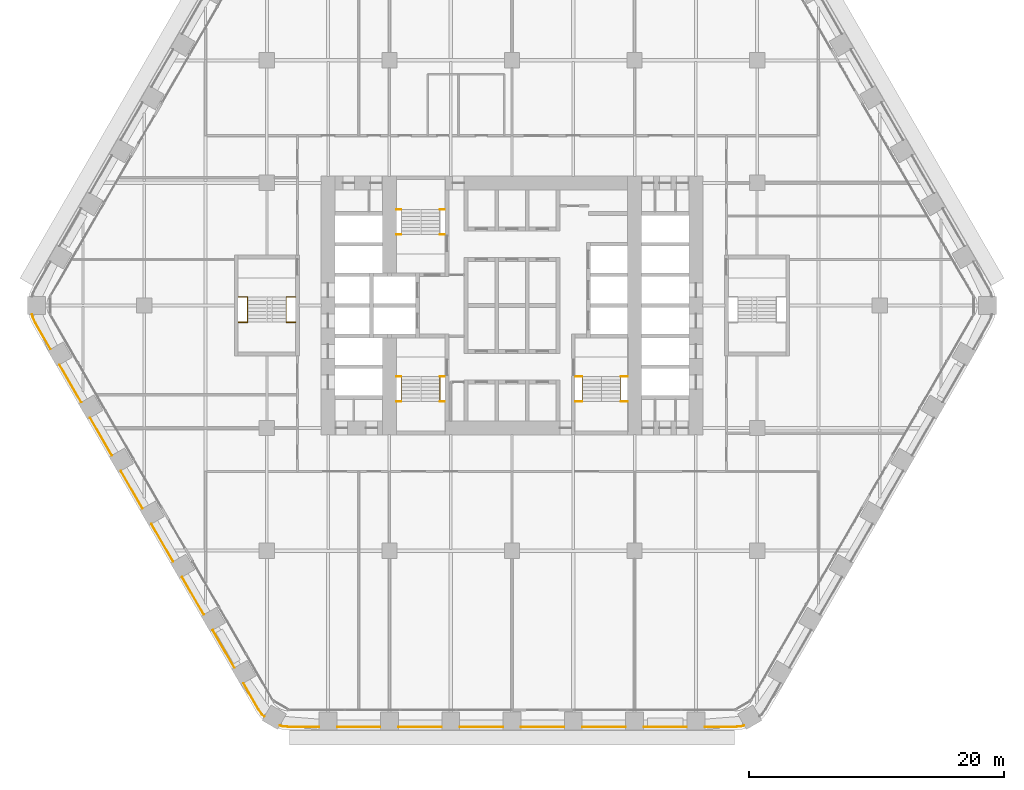
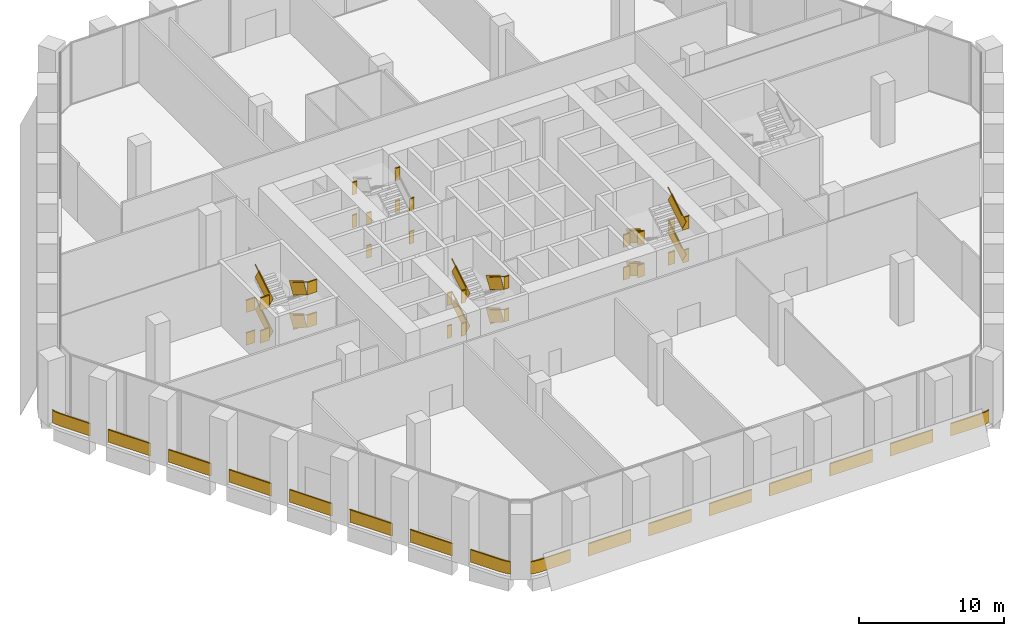
# One storey, part 26 of 27: 9 railings.
"""IFC4 building model written with IfcOpenShell, lengths in metres."""

from ifc_helpers import new_model, si_unit, direction, frame, frame_2d, origin, origin_2d, place, context, subcontext, project, spatial, rectangle, extrude, material, type_object, element, save


model = new_model("IFC4")

# Units and contexts
model_context = context("Model", 3, precision=1e-05, world=origin(), true_north=direction((0.0, 1.0)))
body_context = subcontext(model_context, "Body", "Model", "MODEL_VIEW")
ifc_project = project(units=[si_unit("LENGTHUNIT", "METRE"), si_unit("AREAUNIT", "SQUARE_METRE"), si_unit("VOLUMEUNIT", "CUBIC_METRE"), si_unit("PLANEANGLEUNIT", "RADIAN"), si_unit("MASSUNIT", "GRAM", prefix="KILO")], contexts=[model_context])

# Site, building, storey
site_placement = place(None, origin())
site = spatial("IfcSite", under=ifc_project, at=site_placement, CompositionType="ELEMENT")
building_placement = place(site_placement, origin())
building = spatial("IfcBuilding", under=site, at=building_placement, Name="Kolab Exchange Tower", CompositionType="ELEMENT")
storey_placement = place(building_placement, frame((0.0, 0.0, 49.89990234375)))
storey = spatial("IfcBuildingStorey", under=building, at=storey_placement, Name="L09", CompositionType="ELEMENT", Elevation=49.89990234375)

# Railings
ifc_material_1 = material(Name="Stainless steel 316", Category="steel")
railing_type_1 = type_object("IfcRailingType", Name="GUARD 1100", PredefinedType="GUARDRAIL", material=ifc_material_1)
railing_1_placement = place(storey_placement, frame((-9.050048828125, 5.550048828125, 0.0)))
element("IfcRailing", 1, at=railing_1_placement, inside=storey, type_object=railing_type_1, Name="Guard ST1", PredefinedType="GUARDRAIL", context=body_context, shape_type="SweptSolid", body=[
    extrude(rectangle(XDim=0.05, YDim=0.05, at=origin_2d()), frame((0.0, 0.0, 1.0751953125), z_axis=(1.0, 0.0, 0.0), x_axis=(0.0, 1.0, 0.0)), (0.0, 0.0, 1.0), 0.39013671875),
    extrude(rectangle(XDim=0.012, YDim=1.05009765625, at=frame_2d((0.0, 0.525146484375))), frame((0.0, 0.0, 0.0), z_axis=(1.0, 0.0, 0.0), x_axis=(0.0, 1.0, 0.0)), (0.0, 0.0, 1.0), 0.39013671875),
    extrude(rectangle(XDim=0.05, YDim=0.05, at=origin_2d()), frame((3.41015625, 0.0, 1.0751953125), z_axis=(1.0, 0.0, 0.0), x_axis=(0.0, 1.0, 0.0)), (0.0, 0.0, 1.0), 0.389892578125),
    extrude(rectangle(XDim=0.012, YDim=1.05009765625, at=frame_2d((0.0, 0.525146484375))), frame((3.41015625, 0.0, 0.0), z_axis=(1.0, 0.0, 0.0), x_axis=(0.0, 1.0, 0.0)), (0.0, 0.0, 1.0), 0.389892578125),
    extrude(rectangle(XDim=0.05, YDim=0.05, at=origin_2d()), frame((0.0, 1.9599609375, 2.4501953125), z_axis=(1.0, 0.0, 0.0), x_axis=(0.0, 1.0, 0.0)), (0.0, 0.0, 1.0), 0.39013671875),
    extrude(rectangle(XDim=0.012, YDim=1.05009765625, at=frame_2d((0.0, 0.525146484375))), frame((0.0, 1.9599609375, 1.375), z_axis=(1.0, 0.0, 0.0), x_axis=(0.0, 1.0, 0.0)), (0.0, 0.0, 1.0), 0.39013671875),
    extrude(rectangle(XDim=0.05, YDim=0.05, at=origin_2d()), frame((3.41015625, 1.9599609375, 2.4501953125), z_axis=(1.0, 0.0, 0.0), x_axis=(0.0, 1.0, 0.0)), (0.0, 0.0, 1.0), 0.389892578125),
    extrude(rectangle(XDim=0.012, YDim=1.05009765625, at=frame_2d((0.0, 0.525146484375))), frame((3.41015625, 1.9599609375, 1.375), z_axis=(1.0, 0.0, 0.0), x_axis=(0.0, 1.0, 0.0)), (0.0, 0.0, 1.0), 0.389892578125),
    extrude(rectangle(XDim=0.05, YDim=0.05, at=origin_2d()), frame((0.0, 0.0, 3.8251953125), z_axis=(1.0, 0.0, 0.0), x_axis=(0.0, 1.0, 0.0)), (0.0, 0.0, 1.0), 0.39013671875),
    extrude(rectangle(XDim=0.012, YDim=1.05009765625, at=frame_2d((0.0, 0.525146484375))), frame((0.0, 0.0, 2.75), z_axis=(1.0, 0.0, 0.0), x_axis=(0.0, 1.0, 0.0)), (0.0, 0.0, 1.0), 0.39013671875),
    extrude(rectangle(XDim=0.05, YDim=0.05, at=origin_2d()), frame((3.41015625, 0.0, 3.8251953125), z_axis=(1.0, 0.0, 0.0), x_axis=(0.0, 1.0, 0.0)), (0.0, 0.0, 1.0), 0.389892578125),
    extrude(rectangle(XDim=0.012, YDim=1.05009765625, at=frame_2d((0.0, 0.525146484375))), frame((3.41015625, 0.0, 2.75), z_axis=(1.0, 0.0, 0.0), x_axis=(0.0, 1.0, 0.0)), (0.0, 0.0, 1.0), 0.389892578125),
    extrude(rectangle(XDim=0.05, YDim=0.05, at=origin_2d()), frame((0.0, 1.9599609375, 5.2001953125), z_axis=(1.0, 0.0, 0.0), x_axis=(0.0, 1.0, 0.0)), (0.0, 0.0, 1.0), 0.39013671875),
    extrude(rectangle(XDim=0.012, YDim=1.05009765625, at=frame_2d((0.0, 0.525146484375))), frame((0.0, 1.9599609375, 4.125), z_axis=(1.0, 0.0, 0.0), x_axis=(0.0, 1.0, 0.0)), (0.0, 0.0, 1.0), 0.39013671875),
    extrude(rectangle(XDim=0.05, YDim=0.05, at=origin_2d()), frame((3.41015625, 1.9599609375, 5.2001953125), z_axis=(1.0, 0.0, 0.0), x_axis=(0.0, 1.0, 0.0)), (0.0, 0.0, 1.0), 0.389892578125),
    extrude(rectangle(XDim=0.012, YDim=1.05009765625, at=frame_2d((0.0, 0.525146484375))), frame((3.41015625, 1.9599609375, 4.125), z_axis=(1.0, 0.0, 0.0), x_axis=(0.0, 1.0, 0.0)), (0.0, 0.0, 1.0), 0.389892578125),
])
railing_2_placement = place(storey_placement, frame((-9.050048828125, -5.550048828125, 0.0)))
element("IfcRailing", 2, at=railing_2_placement, inside=storey, type_object=railing_type_1, Name="Guard ST3", PredefinedType="GUARDRAIL", context=body_context, shape_type="SweptSolid", body=[
    extrude(rectangle(XDim=0.05, YDim=0.05, at=origin_2d()), frame((0.0, 0.0, 1.0751953125), z_axis=(1.0, 0.0, 0.0), x_axis=(0.0, 1.0, 0.0)), (0.0, 0.0, 1.0), 0.39013671875),
    extrude(rectangle(XDim=0.012, YDim=1.05009765625, at=frame_2d((0.0, 0.525146484375))), frame((0.0, 0.0, 0.0), z_axis=(1.0, 0.0, 0.0), x_axis=(0.0, 1.0, 0.0)), (0.0, 0.0, 1.0), 0.39013671875),
    extrude(rectangle(XDim=0.05, YDim=0.05, at=origin_2d()), frame((3.41015625, 0.0, 1.0751953125), z_axis=(1.0, 0.0, 0.0), x_axis=(0.0, 1.0, 0.0)), (0.0, 0.0, 1.0), 0.389892578125),
    extrude(rectangle(XDim=0.012, YDim=1.05009765625, at=frame_2d((0.0, 0.525146484375))), frame((3.41015625, 0.0, 0.0), z_axis=(1.0, 0.0, 0.0), x_axis=(0.0, 1.0, 0.0)), (0.0, 0.0, 1.0), 0.389892578125),
    extrude(rectangle(XDim=0.05, YDim=0.05, at=origin_2d()), frame((0.0, -1.9599609375, 2.4501953125), z_axis=(1.0, 0.0, 0.0), x_axis=(0.0, 1.0, 0.0)), (0.0, 0.0, 1.0), 0.39013671875),
    extrude(rectangle(XDim=0.012, YDim=1.05009765625, at=frame_2d((0.0, 0.525146484375))), frame((0.0, -1.9599609375, 1.375), z_axis=(1.0, 0.0, 0.0), x_axis=(0.0, 1.0, 0.0)), (0.0, 0.0, 1.0), 0.39013671875),
    extrude(rectangle(XDim=0.05, YDim=0.05, at=origin_2d()), frame((3.41015625, -1.9599609375, 2.4501953125), z_axis=(1.0, 0.0, 0.0), x_axis=(0.0, 1.0, 0.0)), (0.0, 0.0, 1.0), 0.389892578125),
    extrude(rectangle(XDim=0.012, YDim=1.05009765625, at=frame_2d((0.0, 0.525146484375))), frame((3.41015625, -1.9599609375, 1.375), z_axis=(1.0, 0.0, 0.0), x_axis=(0.0, 1.0, 0.0)), (0.0, 0.0, 1.0), 0.389892578125),
    extrude(rectangle(XDim=0.05, YDim=0.05, at=origin_2d()), frame((0.0, 0.0, 3.8251953125), z_axis=(1.0, 0.0, 0.0), x_axis=(0.0, 1.0, 0.0)), (0.0, 0.0, 1.0), 0.39013671875),
    extrude(rectangle(XDim=0.012, YDim=1.05009765625, at=frame_2d((0.0, 0.525146484375))), frame((0.0, 0.0, 2.75), z_axis=(1.0, 0.0, 0.0), x_axis=(0.0, 1.0, 0.0)), (0.0, 0.0, 1.0), 0.39013671875),
    extrude(rectangle(XDim=0.05, YDim=0.05, at=origin_2d()), frame((3.41015625, 0.0, 3.8251953125), z_axis=(1.0, 0.0, 0.0), x_axis=(0.0, 1.0, 0.0)), (0.0, 0.0, 1.0), 0.389892578125),
    extrude(rectangle(XDim=0.012, YDim=1.05009765625, at=frame_2d((0.0, 0.525146484375))), frame((3.41015625, 0.0, 2.75), z_axis=(1.0, 0.0, 0.0), x_axis=(0.0, 1.0, 0.0)), (0.0, 0.0, 1.0), 0.389892578125),
    extrude(rectangle(XDim=0.05, YDim=0.05, at=origin_2d()), frame((0.0, -1.9599609375, 5.2001953125), z_axis=(1.0, 0.0, 0.0), x_axis=(0.0, 1.0, 0.0)), (0.0, 0.0, 1.0), 0.39013671875),
    extrude(rectangle(XDim=0.012, YDim=1.05009765625, at=frame_2d((0.0, 0.525146484375))), frame((0.0, -1.9599609375, 4.125), z_axis=(1.0, 0.0, 0.0), x_axis=(0.0, 1.0, 0.0)), (0.0, 0.0, 1.0), 0.39013671875),
    extrude(rectangle(XDim=0.05, YDim=0.05, at=origin_2d()), frame((3.41015625, -1.9599609375, 5.2001953125), z_axis=(1.0, 0.0, 0.0), x_axis=(0.0, 1.0, 0.0)), (0.0, 0.0, 1.0), 0.389892578125),
    extrude(rectangle(XDim=0.012, YDim=1.05009765625, at=frame_2d((0.0, 0.525146484375))), frame((3.41015625, -1.9599609375, 4.125), z_axis=(1.0, 0.0, 0.0), x_axis=(0.0, 1.0, 0.0)), (0.0, 0.0, 1.0), 0.389892578125),
])
railing_3_placement = place(storey_placement, frame((-5.639892578125, -5.550048828125, 0.172119140625)))
element("IfcRailing", 3, at=railing_3_placement, inside=storey, type_object=railing_type_1, Name="Handrail guard ST3", PredefinedType="GUARDRAIL", context=body_context, shape_type="SweptSolid", body=[
    extrude(rectangle(XDim=0.05, YDim=0.05, at=origin_2d()), frame((0.0, 0.0, 1.0751953125), z_axis=(0.0, -0.852288308005, 0.523072308613), x_axis=(1.0, 0.0, 0.0)), (0.0, 0.0, 1.0), 2.299560546875),
    extrude(rectangle(XDim=0.012, YDim=1.05009765625, at=frame_2d((0.0, 0.525146484375))), frame((0.0, 0.0, 0.0), z_axis=(0.0, -0.852288308005, 0.523072308613), x_axis=(1.0, 0.0, 0.0)), (0.0, 0.0, 1.0), 2.299560546875),
    extrude(rectangle(XDim=0.05, YDim=0.05, at=origin_2d()), frame((-3.02001953125, -1.9599609375, 2.4501953125), z_axis=(0.0, 0.852288308005, 0.523072308613), x_axis=(-1.0, 0.0, 0.0)), (0.0, 0.0, 1.0), 2.299560546875),
    extrude(rectangle(XDim=0.012, YDim=1.05009765625, at=frame_2d((0.0, 0.525146484375))), frame((-3.02001953125, -1.9599609375, 1.375), z_axis=(0.0, 0.852288308005, 0.523072308613), x_axis=(-1.0, 0.0, 0.0)), (0.0, 0.0, 1.0), 2.299560546875),
    extrude(rectangle(XDim=0.05, YDim=0.05, at=origin_2d()), frame((0.0, 0.0, 3.8251953125), z_axis=(0.0, -0.852288308005, 0.523072308613), x_axis=(1.0, 0.0, 0.0)), (0.0, 0.0, 1.0), 2.299560546875),
    extrude(rectangle(XDim=0.012, YDim=1.05009765625, at=frame_2d((0.0, 0.525146484375))), frame((0.0, 0.0, 2.75), z_axis=(0.0, -0.852288308005, 0.523072308613), x_axis=(1.0, 0.0, 0.0)), (0.0, 0.0, 1.0), 2.299560546875),
    extrude(rectangle(XDim=0.05, YDim=0.05, at=origin_2d()), frame((-3.02001953125, -1.9599609375, 5.2001953125), z_axis=(0.0, 0.852288308005, 0.523072308613), x_axis=(-1.0, 0.0, 0.0)), (0.0, 0.0, 1.0), 2.299560546875),
    extrude(rectangle(XDim=0.012, YDim=1.05009765625, at=frame_2d((0.0, 0.525146484375))), frame((-3.02001953125, -1.9599609375, 4.125), z_axis=(0.0, 0.852288308005, 0.523072308613), x_axis=(-1.0, 0.0, 0.0)), (0.0, 0.0, 1.0), 2.299560546875),
])
railing_4_placement = place(storey_placement, frame((4.949951171875, -5.550048828125, 0.0)))
element("IfcRailing", 4, at=railing_4_placement, inside=storey, type_object=railing_type_1, Name="Guard ST2", PredefinedType="GUARDRAIL", context=body_context, shape_type="SweptSolid", body=[
    extrude(rectangle(XDim=0.05, YDim=0.05, at=origin_2d()), frame((0.0, 0.0, 1.0751953125), z_axis=(1.0, 0.0, 0.0), x_axis=(0.0, 1.0, 0.0)), (0.0, 0.0, 1.0), 0.5400390625),
    extrude(rectangle(XDim=0.012, YDim=1.05009765625, at=frame_2d((0.0, 0.525146484375))), frame((0.0, 0.0, 0.0), z_axis=(1.0, 0.0, 0.0), x_axis=(0.0, 1.0, 0.0)), (0.0, 0.0, 1.0), 0.5400390625),
    extrude(rectangle(XDim=0.05, YDim=0.05, at=origin_2d()), frame((3.56005859375, 0.0, 1.0751953125), z_axis=(1.0, 0.0, 0.0), x_axis=(0.0, 1.0, 0.0)), (0.0, 0.0, 1.0), 0.5400390625),
    extrude(rectangle(XDim=0.012, YDim=1.05009765625, at=frame_2d((0.0, 0.525146484375))), frame((3.56005859375, 0.0, 0.0), z_axis=(1.0, 0.0, 0.0), x_axis=(0.0, 1.0, 0.0)), (0.0, 0.0, 1.0), 0.5400390625),
    extrude(rectangle(XDim=0.05, YDim=0.05, at=origin_2d()), frame((0.0, -1.9599609375, 2.4501953125), z_axis=(1.0, 0.0, 0.0), x_axis=(0.0, 1.0, 0.0)), (0.0, 0.0, 1.0), 0.5400390625),
    extrude(rectangle(XDim=0.012, YDim=1.05009765625, at=frame_2d((0.0, 0.525146484375))), frame((0.0, -1.9599609375, 1.375), z_axis=(1.0, 0.0, 0.0), x_axis=(0.0, 1.0, 0.0)), (0.0, 0.0, 1.0), 0.5400390625),
    extrude(rectangle(XDim=0.05, YDim=0.05, at=origin_2d()), frame((3.56005859375, -1.9599609375, 2.4501953125), z_axis=(1.0, 0.0, 0.0), x_axis=(0.0, 1.0, 0.0)), (0.0, 0.0, 1.0), 0.5400390625),
    extrude(rectangle(XDim=0.012, YDim=1.05009765625, at=frame_2d((0.0, 0.525146484375))), frame((3.56005859375, -1.9599609375, 1.375), z_axis=(1.0, 0.0, 0.0), x_axis=(0.0, 1.0, 0.0)), (0.0, 0.0, 1.0), 0.5400390625),
    extrude(rectangle(XDim=0.05, YDim=0.05, at=origin_2d()), frame((0.0, 0.0, 3.8251953125), z_axis=(1.0, 0.0, 0.0), x_axis=(0.0, 1.0, 0.0)), (0.0, 0.0, 1.0), 0.5400390625),
    extrude(rectangle(XDim=0.012, YDim=1.05009765625, at=frame_2d((0.0, 0.525146484375))), frame((0.0, 0.0, 2.75), z_axis=(1.0, 0.0, 0.0), x_axis=(0.0, 1.0, 0.0)), (0.0, 0.0, 1.0), 0.5400390625),
    extrude(rectangle(XDim=0.05, YDim=0.05, at=origin_2d()), frame((3.56005859375, 0.0, 3.8251953125), z_axis=(1.0, 0.0, 0.0), x_axis=(0.0, 1.0, 0.0)), (0.0, 0.0, 1.0), 0.5400390625),
    extrude(rectangle(XDim=0.012, YDim=1.05009765625, at=frame_2d((0.0, 0.525146484375))), frame((3.56005859375, 0.0, 2.75), z_axis=(1.0, 0.0, 0.0), x_axis=(0.0, 1.0, 0.0)), (0.0, 0.0, 1.0), 0.5400390625),
    extrude(rectangle(XDim=0.05, YDim=0.05, at=origin_2d()), frame((0.0, -1.9599609375, 5.2001953125), z_axis=(1.0, 0.0, 0.0), x_axis=(0.0, 1.0, 0.0)), (0.0, 0.0, 1.0), 0.5400390625),
    extrude(rectangle(XDim=0.012, YDim=1.05009765625, at=frame_2d((0.0, 0.525146484375))), frame((0.0, -1.9599609375, 4.125), z_axis=(1.0, 0.0, 0.0), x_axis=(0.0, 1.0, 0.0)), (0.0, 0.0, 1.0), 0.5400390625),
    extrude(rectangle(XDim=0.05, YDim=0.05, at=origin_2d()), frame((3.56005859375, -1.9599609375, 5.2001953125), z_axis=(1.0, 0.0, 0.0), x_axis=(0.0, 1.0, 0.0)), (0.0, 0.0, 1.0), 0.5400390625),
    extrude(rectangle(XDim=0.012, YDim=1.05009765625, at=frame_2d((0.0, 0.525146484375))), frame((3.56005859375, -1.9599609375, 4.125), z_axis=(1.0, 0.0, 0.0), x_axis=(0.0, 1.0, 0.0)), (0.0, 0.0, 1.0), 0.5400390625),
])
railing_5_placement = place(storey_placement, frame((5.489990234375, -5.550048828125, 0.172119140625)))
element("IfcRailing", 5, at=railing_5_placement, inside=storey, type_object=railing_type_1, Name="Handrail guard ST2", PredefinedType="GUARDRAIL", context=body_context, shape_type="SweptSolid", body=[
    extrude(rectangle(XDim=0.05, YDim=0.05, at=origin_2d()), frame((0.0, 0.0, 1.0751953125), z_axis=(0.0, -0.852288308005, 0.523072308613), x_axis=(1.0, 0.0, 0.0)), (0.0, 0.0, 1.0), 2.299560546875),
    extrude(rectangle(XDim=0.012, YDim=1.05009765625, at=frame_2d((0.0, 0.525146484375))), frame((0.0, 0.0, 0.0), z_axis=(0.0, -0.852288308005, 0.523072308613), x_axis=(1.0, 0.0, 0.0)), (0.0, 0.0, 1.0), 2.299560546875),
    extrude(rectangle(XDim=0.05, YDim=0.05, at=origin_2d()), frame((3.02001953125, -1.9599609375, 2.4501953125), z_axis=(0.0, 0.852288308005, 0.523072308613), x_axis=(-1.0, 0.0, 0.0)), (0.0, 0.0, 1.0), 2.299560546875),
    extrude(rectangle(XDim=0.012, YDim=1.05009765625, at=frame_2d((0.0, 0.525146484375))), frame((3.02001953125, -1.9599609375, 1.375), z_axis=(0.0, 0.852288308005, 0.523072308613), x_axis=(-1.0, 0.0, 0.0)), (0.0, 0.0, 1.0), 2.299560546875),
    extrude(rectangle(XDim=0.05, YDim=0.05, at=origin_2d()), frame((0.0, 0.0, 3.8251953125), z_axis=(0.0, -0.852288308005, 0.523072308613), x_axis=(1.0, 0.0, 0.0)), (0.0, 0.0, 1.0), 2.299560546875),
    extrude(rectangle(XDim=0.012, YDim=1.05009765625, at=frame_2d((0.0, 0.525146484375))), frame((0.0, 0.0, 2.75), z_axis=(0.0, -0.852288308005, 0.523072308613), x_axis=(1.0, 0.0, 0.0)), (0.0, 0.0, 1.0), 2.299560546875),
    extrude(rectangle(XDim=0.05, YDim=0.05, at=origin_2d()), frame((3.02001953125, -1.9599609375, 5.2001953125), z_axis=(0.0, 0.852288308005, 0.523072308613), x_axis=(-1.0, 0.0, 0.0)), (0.0, 0.0, 1.0), 2.299560546875),
    extrude(rectangle(XDim=0.012, YDim=1.05009765625, at=frame_2d((0.0, 0.525146484375))), frame((3.02001953125, -1.9599609375, 4.125), z_axis=(0.0, 0.852288308005, 0.523072308613), x_axis=(-1.0, 0.0, 0.0)), (0.0, 0.0, 1.0), 2.299560546875),
])
railing_6_placement = place(storey_placement, frame((-21.449951171875, 0.64990234375, 0.0)))
element("IfcRailing", 6, at=railing_6_placement, inside=storey, type_object=railing_type_1, Name="Guard ST5", PredefinedType="GUARDRAIL", context=body_context, shape_type="SweptSolid", body=[
    extrude(rectangle(XDim=0.05, YDim=0.05, at=origin_2d()), frame((0.0, 0.0, 1.0751953125), z_axis=(1.0, 0.0, 0.0), x_axis=(0.0, 1.0, 0.0)), (0.0, 0.0, 1.0), 0.739990234375),
    extrude(rectangle(XDim=0.012, YDim=1.05009765625, at=frame_2d((0.0, 0.525146484375))), frame((0.0, 0.0, 0.0), z_axis=(1.0, 0.0, 0.0), x_axis=(0.0, 1.0, 0.0)), (0.0, 0.0, 1.0), 0.739990234375),
    extrude(rectangle(XDim=0.05, YDim=0.05, at=origin_2d()), frame((3.760009765625, 0.0, 1.0751953125), z_axis=(1.0, 0.0, 0.0), x_axis=(0.0, 1.0, 0.0)), (0.0, 0.0, 1.0), 0.739990234375),
    extrude(rectangle(XDim=0.012, YDim=1.05009765625, at=frame_2d((0.0, 0.525146484375))), frame((3.760009765625, 0.0, 0.0), z_axis=(1.0, 0.0, 0.0), x_axis=(0.0, 1.0, 0.0)), (0.0, 0.0, 1.0), 0.739990234375),
    extrude(rectangle(XDim=0.05, YDim=0.05, at=origin_2d()), frame((0.0, -1.9599609375, 2.4501953125), z_axis=(1.0, 0.0, 0.0), x_axis=(0.0, 1.0, 0.0)), (0.0, 0.0, 1.0), 0.739990234375),
    extrude(rectangle(XDim=0.012, YDim=1.05009765625, at=frame_2d((0.0, 0.525146484375))), frame((0.0, -1.9599609375, 1.375), z_axis=(1.0, 0.0, 0.0), x_axis=(0.0, 1.0, 0.0)), (0.0, 0.0, 1.0), 0.739990234375),
    extrude(rectangle(XDim=0.05, YDim=0.05, at=origin_2d()), frame((3.760009765625, -1.9599609375, 2.4501953125), z_axis=(1.0, 0.0, 0.0), x_axis=(0.0, 1.0, 0.0)), (0.0, 0.0, 1.0), 0.739990234375),
    extrude(rectangle(XDim=0.012, YDim=1.05009765625, at=frame_2d((0.0, 0.525146484375))), frame((3.760009765625, -1.9599609375, 1.375), z_axis=(1.0, 0.0, 0.0), x_axis=(0.0, 1.0, 0.0)), (0.0, 0.0, 1.0), 0.739990234375),
    extrude(rectangle(XDim=0.05, YDim=0.05, at=origin_2d()), frame((0.0, 0.0, 3.8251953125), z_axis=(1.0, 0.0, 0.0), x_axis=(0.0, 1.0, 0.0)), (0.0, 0.0, 1.0), 0.739990234375),
    extrude(rectangle(XDim=0.012, YDim=1.05009765625, at=frame_2d((0.0, 0.525146484375))), frame((0.0, 0.0, 2.75), z_axis=(1.0, 0.0, 0.0), x_axis=(0.0, 1.0, 0.0)), (0.0, 0.0, 1.0), 0.739990234375),
    extrude(rectangle(XDim=0.05, YDim=0.05, at=origin_2d()), frame((3.760009765625, 0.0, 3.8251953125), z_axis=(1.0, 0.0, 0.0), x_axis=(0.0, 1.0, 0.0)), (0.0, 0.0, 1.0), 0.739990234375),
    extrude(rectangle(XDim=0.012, YDim=1.05009765625, at=frame_2d((0.0, 0.525146484375))), frame((3.760009765625, 0.0, 2.75), z_axis=(1.0, 0.0, 0.0), x_axis=(0.0, 1.0, 0.0)), (0.0, 0.0, 1.0), 0.739990234375),
    extrude(rectangle(XDim=0.05, YDim=0.05, at=origin_2d()), frame((0.0, -1.9599609375, 5.2001953125), z_axis=(1.0, 0.0, 0.0), x_axis=(0.0, 1.0, 0.0)), (0.0, 0.0, 1.0), 0.739990234375),
    extrude(rectangle(XDim=0.012, YDim=1.05009765625, at=frame_2d((0.0, 0.525146484375))), frame((0.0, -1.9599609375, 4.125), z_axis=(1.0, 0.0, 0.0), x_axis=(0.0, 1.0, 0.0)), (0.0, 0.0, 1.0), 0.739990234375),
    extrude(rectangle(XDim=0.05, YDim=0.05, at=origin_2d()), frame((3.760009765625, -1.9599609375, 5.2001953125), z_axis=(1.0, 0.0, 0.0), x_axis=(0.0, 1.0, 0.0)), (0.0, 0.0, 1.0), 0.739990234375),
    extrude(rectangle(XDim=0.012, YDim=1.05009765625, at=frame_2d((0.0, 0.525146484375))), frame((3.760009765625, -1.9599609375, 4.125), z_axis=(1.0, 0.0, 0.0), x_axis=(0.0, 1.0, 0.0)), (0.0, 0.0, 1.0), 0.739990234375),
])
railing_7_placement = place(storey_placement, frame((-17.68994140625, 0.64990234375, 0.172119140625)))
element("IfcRailing", 7, at=railing_7_placement, inside=storey, type_object=railing_type_1, Name="Handrail guard ST5", PredefinedType="GUARDRAIL", context=body_context, shape_type="SweptSolid", body=[
    extrude(rectangle(XDim=0.05, YDim=0.05, at=origin_2d()), frame((0.0, 0.0, 1.0751953125), z_axis=(0.0, -0.852288308005, 0.523072308613), x_axis=(1.0, 0.0, 0.0)), (0.0, 0.0, 1.0), 2.299560546875),
    extrude(rectangle(XDim=0.012, YDim=1.05009765625, at=frame_2d((0.0, 0.525146484375))), frame((0.0, 0.0, 0.0), z_axis=(0.0, -0.852288308005, 0.523072308613), x_axis=(1.0, 0.0, 0.0)), (0.0, 0.0, 1.0), 2.299560546875),
    extrude(rectangle(XDim=0.05, YDim=0.05, at=origin_2d()), frame((-3.02001953125, -1.9599609375, 2.4501953125), z_axis=(0.0, 0.852288308005, 0.523072308613), x_axis=(-1.0, 0.0, 0.0)), (0.0, 0.0, 1.0), 2.299560546875),
    extrude(rectangle(XDim=0.012, YDim=1.05009765625, at=frame_2d((0.0, 0.525146484375))), frame((-3.02001953125, -1.9599609375, 1.375), z_axis=(0.0, 0.852288308005, 0.523072308613), x_axis=(-1.0, 0.0, 0.0)), (0.0, 0.0, 1.0), 2.299560546875),
    extrude(rectangle(XDim=0.05, YDim=0.05, at=origin_2d()), frame((0.0, 0.0, 3.8251953125), z_axis=(0.0, -0.852288308005, 0.523072308613), x_axis=(1.0, 0.0, 0.0)), (0.0, 0.0, 1.0), 2.299560546875),
    extrude(rectangle(XDim=0.012, YDim=1.05009765625, at=frame_2d((0.0, 0.525146484375))), frame((0.0, 0.0, 2.75), z_axis=(0.0, -0.852288308005, 0.523072308613), x_axis=(1.0, 0.0, 0.0)), (0.0, 0.0, 1.0), 2.299560546875),
    extrude(rectangle(XDim=0.05, YDim=0.05, at=origin_2d()), frame((-3.02001953125, -1.9599609375, 5.2001953125), z_axis=(0.0, 0.852288308005, 0.523072308613), x_axis=(-1.0, 0.0, 0.0)), (0.0, 0.0, 1.0), 2.299560546875),
    extrude(rectangle(XDim=0.012, YDim=1.05009765625, at=frame_2d((0.0, 0.525146484375))), frame((-3.02001953125, -1.9599609375, 4.125), z_axis=(0.0, 0.852288308005, 0.523072308613), x_axis=(-1.0, 0.0, 0.0)), (0.0, 0.0, 1.0), 2.299560546875),
])
ifc_material_2 = material(Name="Steel S235", Category="steel")
railing_type_2 = type_object("IfcRailingType", Name="GUARD 1100 GLASS BALUSTRADE AND STEEL TOP RAIL", PredefinedType="GUARDRAIL", material=ifc_material_2)
railing_8_placement = place(storey_placement, frame((-18.1953125, -32.896728515625, 0.0)))
element("IfcRailing", 8, at=railing_8_placement, inside=storey, type_object=railing_type_2, Name="Guard", PredefinedType="GUARDRAIL", context=body_context, shape_type="SweptSolid", body=[
    extrude(rectangle(XDim=0.05, YDim=0.05, at=origin_2d()), frame((0.0, 0.0, 1.0751953125), z_axis=(0.965952265455, -0.258720352624, 0.0), x_axis=(0.258720352624, 0.965952265455, 0.0)), (0.0, 0.0, 1.0), 0.258544921875),
    extrude(rectangle(XDim=0.012, YDim=1.05009765625, at=frame_2d((0.0, 0.525146484375))), frame((0.0, 0.0, 0.0), z_axis=(0.965952265455, -0.258720352624, 0.0), x_axis=(0.258720352624, 0.965952265455, 0.0)), (0.0, 0.0, 1.0), 0.258544921875),
    extrude(rectangle(XDim=0.05, YDim=0.05, at=origin_2d()), frame((0.249755859375, -0.06689453125, 1.0751953125), z_axis=(0.996200348447, -0.087091134757, 0.0), x_axis=(0.087091134757, 0.996200348447, 0.0)), (0.0, 0.0, 1.0), 0.479248046875),
    extrude(rectangle(XDim=0.012, YDim=1.05009765625, at=frame_2d((0.0, 0.525146484375))), frame((0.249755859375, -0.06689453125, 0.0), z_axis=(0.996200348447, -0.087091134757, 0.0), x_axis=(0.087091134757, 0.996200348447, 0.0)), (0.0, 0.0, 1.0), 0.479248046875),
    extrude(rectangle(XDim=0.05, YDim=0.05, at=origin_2d()), frame((0.727294921875, -0.108642578125, 1.0751953125), z_axis=(1.0, 0.0, 0.0), x_axis=(0.0, 1.0, 0.0)), (0.0, 0.0, 1.0), 2.367919921875),
    extrude(rectangle(XDim=0.012, YDim=1.05009765625, at=frame_2d((0.0, 0.525146484375))), frame((0.727294921875, -0.108642578125, 0.0), z_axis=(1.0, 0.0, 0.0), x_axis=(0.0, 1.0, 0.0)), (0.0, 0.0, 1.0), 2.367919921875),
    extrude(rectangle(XDim=0.05, YDim=0.05, at=origin_2d()), frame((4.495361328125, -0.108642578125, 1.0751953125), z_axis=(1.0, 0.0, 0.0), x_axis=(0.0, 1.0, 0.0)), (0.0, 0.0, 1.0), 3.39990234375),
    extrude(rectangle(XDim=0.012, YDim=1.05009765625, at=frame_2d((0.0, 0.525146484375))), frame((4.495361328125, -0.108642578125, 0.0), z_axis=(1.0, 0.0, 0.0), x_axis=(0.0, 1.0, 0.0)), (0.0, 0.0, 1.0), 3.39990234375),
    extrude(rectangle(XDim=0.05, YDim=0.05, at=origin_2d()), frame((9.29541015625, -0.108642578125, 1.0751953125), z_axis=(1.0, 0.0, 0.0), x_axis=(0.0, 1.0, 0.0)), (0.0, 0.0, 1.0), 3.39990234375),
    extrude(rectangle(XDim=0.012, YDim=1.05009765625, at=frame_2d((0.0, 0.525146484375))), frame((9.29541015625, -0.108642578125, 0.0), z_axis=(1.0, 0.0, 0.0), x_axis=(0.0, 1.0, 0.0)), (0.0, 0.0, 1.0), 3.39990234375),
    extrude(rectangle(XDim=0.05, YDim=0.05, at=origin_2d()), frame((14.09521484375, -0.108642578125, 1.0751953125), z_axis=(1.0, 0.0, 0.0), x_axis=(0.0, 1.0, 0.0)), (0.0, 0.0, 1.0), 3.400146484375),
    extrude(rectangle(XDim=0.012, YDim=1.05009765625, at=frame_2d((0.0, 0.525146484375))), frame((14.09521484375, -0.108642578125, 0.0), z_axis=(1.0, 0.0, 0.0), x_axis=(0.0, 1.0, 0.0)), (0.0, 0.0, 1.0), 3.400146484375),
    extrude(rectangle(XDim=0.05, YDim=0.05, at=origin_2d()), frame((18.895263671875, -0.108642578125, 1.0751953125), z_axis=(1.0, 0.0, 0.0), x_axis=(0.0, 1.0, 0.0)), (0.0, 0.0, 1.0), 3.400146484375),
    extrude(rectangle(XDim=0.012, YDim=1.05009765625, at=frame_2d((0.0, 0.525146484375))), frame((18.895263671875, -0.108642578125, 0.0), z_axis=(1.0, 0.0, 0.0), x_axis=(0.0, 1.0, 0.0)), (0.0, 0.0, 1.0), 3.400146484375),
    extrude(rectangle(XDim=0.05, YDim=0.05, at=origin_2d()), frame((23.6953125, -0.108642578125, 1.0751953125), z_axis=(1.0, 0.0, 0.0), x_axis=(0.0, 1.0, 0.0)), (0.0, 0.0, 1.0), 3.39990234375),
    extrude(rectangle(XDim=0.012, YDim=1.05009765625, at=frame_2d((0.0, 0.525146484375))), frame((23.6953125, -0.108642578125, 0.0), z_axis=(1.0, 0.0, 0.0), x_axis=(0.0, 1.0, 0.0)), (0.0, 0.0, 1.0), 3.39990234375),
    extrude(rectangle(XDim=0.05, YDim=0.05, at=origin_2d()), frame((28.495361328125, -0.108642578125, 1.0751953125), z_axis=(1.0, 0.0, 0.0), x_axis=(0.0, 1.0, 0.0)), (0.0, 0.0, 1.0), 3.39990234375),
    extrude(rectangle(XDim=0.012, YDim=1.05009765625, at=frame_2d((0.0, 0.525146484375))), frame((28.495361328125, -0.108642578125, 0.0), z_axis=(1.0, 0.0, 0.0), x_axis=(0.0, 1.0, 0.0)), (0.0, 0.0, 1.0), 3.39990234375),
    extrude(rectangle(XDim=0.05, YDim=0.05, at=origin_2d()), frame((33.29541015625, -0.108642578125, 1.0751953125), z_axis=(1.0, 0.0, 0.0), x_axis=(0.0, 1.0, 0.0)), (0.0, 0.0, 1.0), 2.367919921875),
    extrude(rectangle(XDim=0.012, YDim=1.05009765625, at=frame_2d((0.0, 0.525146484375))), frame((33.29541015625, -0.108642578125, 0.0), z_axis=(1.0, 0.0, 0.0), x_axis=(0.0, 1.0, 0.0)), (0.0, 0.0, 1.0), 2.367919921875),
    extrude(rectangle(XDim=0.05, YDim=0.05, at=origin_2d()), frame((35.663330078125, -0.108642578125, 1.0751953125), z_axis=(0.996200348447, 0.087091134757, 0.0), x_axis=(-0.087091134757, 0.996200348447, 0.0)), (0.0, 0.0, 1.0), 0.479248046875),
    extrude(rectangle(XDim=0.012, YDim=1.05009765625, at=frame_2d((0.0, 0.525146484375))), frame((35.663330078125, -0.108642578125, 0.0), z_axis=(0.996200348447, 0.087091134757, 0.0), x_axis=(-0.087091134757, 0.996200348447, 0.0)), (0.0, 0.0, 1.0), 0.479248046875),
    extrude(rectangle(XDim=0.05, YDim=0.05, at=origin_2d()), frame((36.140869140625, -0.06689453125, 1.0751953125), z_axis=(0.965952265455, 0.258720352624, 0.0), x_axis=(-0.258720352624, 0.965952265455, 0.0)), (0.0, 0.0, 1.0), 0.258544921875),
    extrude(rectangle(XDim=0.012, YDim=1.05009765625, at=frame_2d((0.0, 0.525146484375))), frame((36.140869140625, -0.06689453125, 0.0), z_axis=(0.965952265455, 0.258720352624, 0.0), x_axis=(-0.258720352624, 0.965952265455, 0.0)), (0.0, 0.0, 1.0), 0.258544921875),
])
railing_9_placement = place(storey_placement, frame((-37.5869140625, -0.690673828125, 0.0)))
element("IfcRailing", 9, at=railing_9_placement, inside=storey, type_object=railing_type_2, Name="Guard", PredefinedType="GUARDRAIL", context=body_context, shape_type="SweptSolid", body=[
    extrude(rectangle(XDim=0.05, YDim=0.05, at=origin_2d()), frame((0.0, 0.0, 1.0751953125), z_axis=(0.258484584798, -0.966015382601, 0.0), x_axis=(0.966015382601, 0.258484584798, 0.0)), (0.0, 0.0, 1.0), 0.2587890625),
    extrude(rectangle(XDim=0.012, YDim=1.05009765625, at=frame_2d((0.0, 0.525146484375))), frame((0.0, 0.0, 0.0), z_axis=(0.258484584798, -0.966015382601, 0.0), x_axis=(0.966015382601, 0.258484584798, 0.0)), (0.0, 0.0, 1.0), 0.2587890625),
    extrude(rectangle(XDim=0.05, YDim=0.05, at=origin_2d()), frame((0.06689453125, -0.25, 1.0751953125), z_axis=(0.422801802984, -0.906222177721, 0.0), x_axis=(0.906222177721, 0.422801802984, 0.0)), (0.0, 0.0, 1.0), 0.479248046875),
    extrude(rectangle(XDim=0.012, YDim=1.05009765625, at=frame_2d((0.0, 0.525146484375))), frame((0.06689453125, -0.25, 0.0), z_axis=(0.422801802984, -0.906222177721, 0.0), x_axis=(0.906222177721, 0.422801802984, 0.0)), (0.0, 0.0, 1.0), 0.479248046875),
    extrude(rectangle(XDim=0.05, YDim=0.05, at=origin_2d()), frame((0.26953125, -0.684326171875, 1.0751953125), z_axis=(0.499942602326, -0.866058539811, 0.0), x_axis=(0.866058539811, 0.499942602326, 0.0)), (0.0, 0.0, 1.0), 2.367919921875),
    extrude(rectangle(XDim=0.012, YDim=1.05009765625, at=frame_2d((0.0, 0.525146484375))), frame((0.26953125, -0.684326171875, 0.0), z_axis=(0.499942602326, -0.866058539811, 0.0), x_axis=(0.866058539811, 0.499942602326, 0.0)), (0.0, 0.0, 1.0), 2.367919921875),
    extrude(rectangle(XDim=0.05, YDim=0.05, at=origin_2d()), frame((2.1533203125, -3.947509765625, 1.0751953125), z_axis=(0.500062241894, -0.865989465428, 0.0), x_axis=(0.865989465428, 0.500062241894, 0.0)), (0.0, 0.0, 1.0), 3.39990234375),
    extrude(rectangle(XDim=0.012, YDim=1.05009765625, at=frame_2d((0.0, 0.525146484375))), frame((2.1533203125, -3.947509765625, 0.0), z_axis=(0.500062241894, -0.865989465428, 0.0), x_axis=(0.865989465428, 0.500062241894, 0.0)), (0.0, 0.0, 1.0), 3.39990234375),
    extrude(rectangle(XDim=0.05, YDim=0.05, at=origin_2d()), frame((4.553466796875, -8.1044921875, 1.0751953125), z_axis=(0.500008388397, -0.866020560687, 0.0), x_axis=(0.866020560687, 0.500008388397, 0.0)), (0.0, 0.0, 1.0), 3.39990234375),
    extrude(rectangle(XDim=0.012, YDim=1.05009765625, at=frame_2d((0.0, 0.525146484375))), frame((4.553466796875, -8.1044921875, 0.0), z_axis=(0.500008388397, -0.866020560687, 0.0), x_axis=(0.866020560687, 0.500008388397, 0.0)), (0.0, 0.0, 1.0), 3.39990234375),
    extrude(rectangle(XDim=0.05, YDim=0.05, at=origin_2d()), frame((6.953369140625, -12.26123046875, 1.0751953125), z_axis=(0.499977295307, -0.866038511948, 0.0), x_axis=(0.866038511948, 0.499977295307, 0.0)), (0.0, 0.0, 1.0), 3.400146484375),
    extrude(rectangle(XDim=0.012, YDim=1.05009765625, at=frame_2d((0.0, 0.525146484375))), frame((6.953369140625, -12.26123046875, 0.0), z_axis=(0.499977295307, -0.866038511948, 0.0), x_axis=(0.866038511948, 0.499977295307, 0.0)), (0.0, 0.0, 1.0), 3.400146484375),
    extrude(rectangle(XDim=0.05, YDim=0.05, at=origin_2d()), frame((9.353515625, -16.418212890625, 1.0751953125), z_axis=(0.499977295307, -0.866038511948, 0.0), x_axis=(0.866038511948, 0.499977295307, 0.0)), (0.0, 0.0, 1.0), 3.400146484375),
    extrude(rectangle(XDim=0.012, YDim=1.05009765625, at=frame_2d((0.0, 0.525146484375))), frame((9.353515625, -16.418212890625, 0.0), z_axis=(0.499977295307, -0.866038511948, 0.0), x_axis=(0.866038511948, 0.499977295307, 0.0)), (0.0, 0.0, 1.0), 3.400146484375),
    extrude(rectangle(XDim=0.05, YDim=0.05, at=origin_2d()), frame((11.75341796875, -20.5751953125, 1.0751953125), z_axis=(0.500008388397, -0.866020560687, 0.0), x_axis=(0.866020560687, 0.500008388397, 0.0)), (0.0, 0.0, 1.0), 3.39990234375),
    extrude(rectangle(XDim=0.012, YDim=1.05009765625, at=frame_2d((0.0, 0.525146484375))), frame((11.75341796875, -20.5751953125, 0.0), z_axis=(0.500008388397, -0.866020560687, 0.0), x_axis=(0.866020560687, 0.500008388397, 0.0)), (0.0, 0.0, 1.0), 3.39990234375),
    extrude(rectangle(XDim=0.05, YDim=0.05, at=origin_2d()), frame((14.1533203125, -24.732177734375, 1.0751953125), z_axis=(0.500062241894, -0.865989465428, 0.0), x_axis=(0.865989465428, 0.500062241894, 0.0)), (0.0, 0.0, 1.0), 3.39990234375),
    extrude(rectangle(XDim=0.012, YDim=1.05009765625, at=frame_2d((0.0, 0.525146484375))), frame((14.1533203125, -24.732177734375, 0.0), z_axis=(0.500062241894, -0.865989465428, 0.0), x_axis=(0.865989465428, 0.500062241894, 0.0)), (0.0, 0.0, 1.0), 3.39990234375),
    extrude(rectangle(XDim=0.05, YDim=0.05, at=origin_2d()), frame((16.553466796875, -28.888916015625, 1.0751953125), z_axis=(0.499942602326, -0.866058539811, 0.0), x_axis=(0.866058539811, 0.499942602326, 0.0)), (0.0, 0.0, 1.0), 2.367919921875),
    extrude(rectangle(XDim=0.012, YDim=1.05009765625, at=frame_2d((0.0, 0.525146484375))), frame((16.553466796875, -28.888916015625, 0.0), z_axis=(0.499942602326, -0.866058539811, 0.0), x_axis=(0.866058539811, 0.499942602326, 0.0)), (0.0, 0.0, 1.0), 2.367919921875),
    extrude(rectangle(XDim=0.05, YDim=0.05, at=origin_2d()), frame((17.7373046875, -30.939697265625, 1.0751953125), z_axis=(0.573940749815, -0.818896828485, 0.0), x_axis=(0.818896828485, 0.573940749815, 0.0)), (0.0, 0.0, 1.0), 0.4794921875),
    extrude(rectangle(XDim=0.012, YDim=1.05009765625, at=frame_2d((0.0, 0.525146484375))), frame((17.7373046875, -30.939697265625, 0.0), z_axis=(0.573940749815, -0.818896828485, 0.0), x_axis=(0.818896828485, 0.573940749815, 0.0)), (0.0, 0.0, 1.0), 0.4794921875),
    extrude(rectangle(XDim=0.05, YDim=0.05, at=origin_2d()), frame((18.012451171875, -31.332275390625, 1.0751953125), z_axis=(0.706634904947, -0.707578342737, 0.0), x_axis=(0.707578342737, 0.706634904947, 0.0)), (0.0, 0.0, 1.0), 0.2587890625),
    extrude(rectangle(XDim=0.012, YDim=1.05009765625, at=frame_2d((0.0, 0.525146484375))), frame((18.012451171875, -31.332275390625, 0.0), z_axis=(0.706634904947, -0.707578342737, 0.0), x_axis=(0.707578342737, 0.706634904947, 0.0)), (0.0, 0.0, 1.0), 0.2587890625),
])

save(model, "model.ifc")
